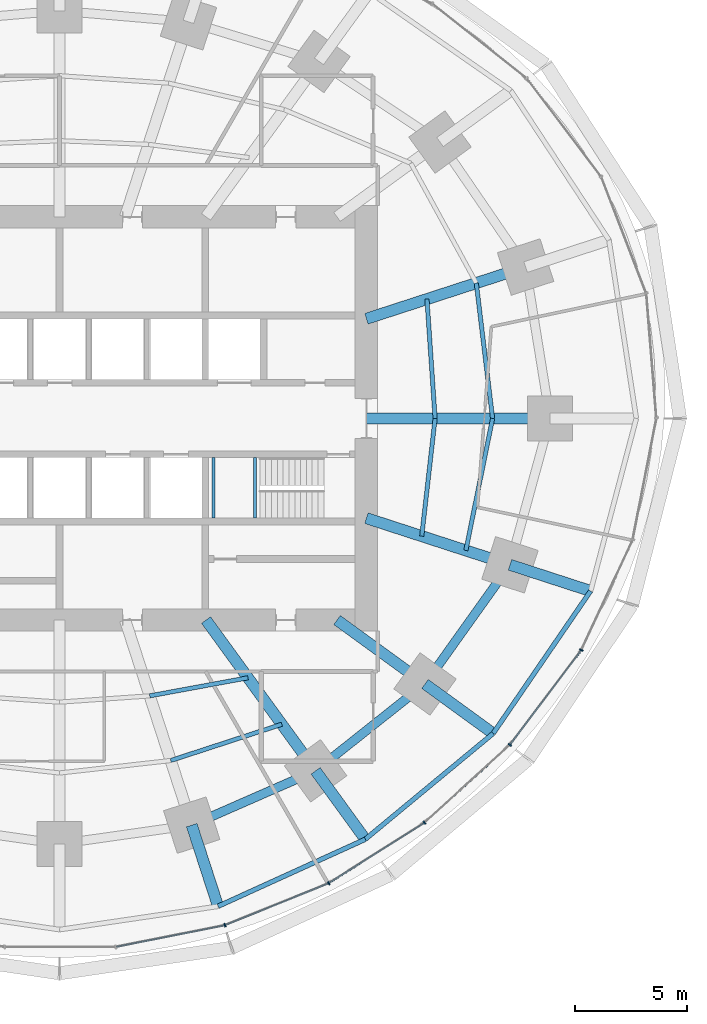
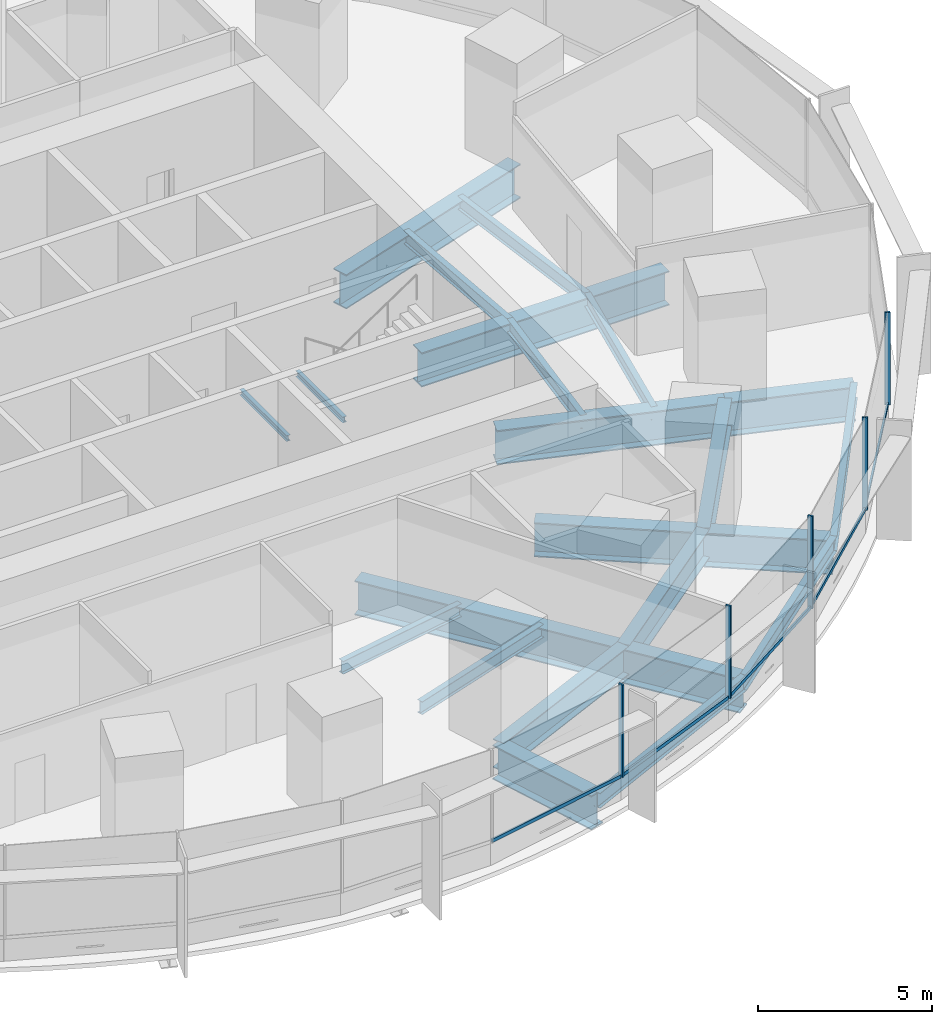
# One storey, part 5 of 15: 23 beams, 10 members, 2 elements without a shape of their own.
"""IFC4 building model written with IfcOpenShell, lengths in metres."""

from ifc_helpers import new_model, si_unit, direction, frame, origin, origin_2d, place, context, subcontext, project, spatial, rectangle, i_section, extrude, material, material_profile, profile_set, type_object, element, aggregate, save


model = new_model("IFC4")

# Units and contexts
model_context = context("Model", 3, precision=1e-05, world=origin(), true_north=direction((0.0, 1.0)))
body_context = subcontext(model_context, "Body", "Model", "MODEL_VIEW")
ifc_project = project(units=[si_unit("LENGTHUNIT", "METRE"), si_unit("AREAUNIT", "SQUARE_METRE"), si_unit("VOLUMEUNIT", "CUBIC_METRE"), si_unit("PLANEANGLEUNIT", "RADIAN"), si_unit("MASSUNIT", "GRAM", prefix="KILO")], contexts=[model_context])

# Site, building, storey
site_placement = place(None, origin())
site = spatial("IfcSite", under=ifc_project, at=site_placement, CompositionType="ELEMENT")
building_placement = place(site_placement, origin())
building = spatial("IfcBuilding", under=site, at=building_placement, Name="Marramba Exchange Tower", CompositionType="ELEMENT")
storey_placement = place(building_placement, frame((0.0, 0.0, 78.39990234375)))
storey = spatial("IfcBuildingStorey", under=building, at=storey_placement, Name="L18", CompositionType="ELEMENT", Elevation=78.39990234375)

# Beams
ifc_material_1 = material(Name="Steel AS/NZS 3679.2 grade 300", Category="steel")
ifc_material_profile_1 = material_profile(ifc_material_1, i_section(OverallWidth=0.5, OverallDepth=1.199951171875, WebThickness=0.01611328125, FlangeThickness=0.0400390625, at=origin_2d()), Name="1200WB455")
ifc_profile_set_1 = profile_set([ifc_material_profile_1], Name="Steel AS/NZS 3679.2 grade 300")
beam_type_1 = type_object("IfcBeamType", Name="Cantilever girder 1200WB455", PredefinedType="BEAM", material=ifc_profile_set_1)
beam_1_placement = place(storey_placement, frame((5.899658203125, -18.156982421875, -0.760009765625), z_axis=(0.309009272901, -0.951059025119, 0.0), x_axis=(0.951059025119, 0.309009272901, 0.0)))
element("IfcBeam", 1, at=beam_1_placement, inside=storey, type_object=beam_type_1, Name="Cantilever girder L18 TC17", PredefinedType="BEAM", context=body_context, shape_type="SweptSolid", body=[
    extrude(i_section(OverallWidth=0.5, OverallDepth=1.199951171875, WebThickness=0.01611328125, FlangeThickness=0.0400390625, at=origin_2d()), origin(), (0.0, 0.0, 1.0), 3.809814453125),
])
beam_2_placement = place(storey_placement, frame((11.430419921875, -15.732666015625, -0.760009765625), z_axis=(0.587787232741, -0.809015555491, 0.0), x_axis=(0.809015555491, 0.587787232741, 0.0)))
element("IfcBeam", 2, at=beam_2_placement, inside=storey, type_object=beam_type_1, Name="Cantilever girder L18 TC18", PredefinedType="BEAM", context=body_context, shape_type="SweptSolid", body=[
    extrude(i_section(OverallWidth=0.5, OverallDepth=1.199951171875, WebThickness=0.01611328125, FlangeThickness=0.0400390625, at=origin_2d()), origin(), (0.0, 0.0, 1.0), 3.7763671875),
])
beam_3_placement = place(storey_placement, frame((16.3154296875, -11.853759765625, -0.760009765625), z_axis=(0.809008346081, -0.587797155463, 0.0), x_axis=(0.587797155463, 0.809008346081, 0.0)))
element("IfcBeam", 3, at=beam_3_placement, inside=storey, type_object=beam_type_1, Name="Cantilever girder L18 TC19", PredefinedType="BEAM", context=body_context, shape_type="SweptSolid", body=[
    extrude(i_section(OverallWidth=0.5, OverallDepth=1.199951171875, WebThickness=0.01611328125, FlangeThickness=0.0400390625, at=origin_2d()), origin(), (0.0, 0.0, 1.0), 3.76025390625),
])
beam_4_placement = place(storey_placement, frame((20.109375, -6.533935546875, -0.760009765625), z_axis=(0.951048759501, -0.309040866314, 0.0), x_axis=(0.309040866314, 0.951048759501, 0.0)))
element("IfcBeam", 4, at=beam_4_placement, inside=storey, type_object=beam_type_1, Name="Cantilever girder L18 TC20", PredefinedType="BEAM", context=body_context, shape_type="SweptSolid", body=[
    extrude(i_section(OverallWidth=0.5, OverallDepth=1.199951171875, WebThickness=0.01611328125, FlangeThickness=0.0400390625, at=origin_2d()), origin(), (0.0, 0.0, 1.0), 3.78564453125),
])
ifc_material_2 = material(Name="Steel AS/NZS 3679.1 grade 300", Category="steel")
ifc_material_profile_2 = material_profile(ifc_material_2, i_section(OverallWidth=0.18994140625, OverallDepth=0.4541015625, WebThickness=0.008544921875, FlangeThickness=0.0126953125, FilletRadius=0.011474609375, at=origin_2d()), Name="460UB67.1")
ifc_profile_set_2 = profile_set([ifc_material_profile_2], Name="Steel AS/NZS 3679.1 grade 300")
beam_type_2 = type_object("IfcBeamType", Name="Floor joist 460UB67.1", PredefinedType="JOIST", material=ifc_profile_set_2)
beam_5_placement = place(storey_placement, frame((16.7666015625, 0.0, -0.386962890625), z_axis=(-0.068096259546, 0.99767875563, 0.0), x_axis=(-0.99767875563, -0.068096259546, 0.0)))
element("IfcBeam", 5, at=beam_5_placement, inside=storey, type_object=beam_type_2, Name="Joist L18 bay 01 row 1", PredefinedType="JOIST", context=body_context, shape_type="SweptSolid", body=[
    extrude(i_section(OverallWidth=0.18994140625, OverallDepth=0.4541015625, WebThickness=0.008544921875, FlangeThickness=0.0126953125, FilletRadius=0.011474609375, at=origin_2d()), origin(), (0.0, 0.0, 1.0), 5.342041015625),
])
beam_6_placement = place(storey_placement, frame((19.333251953125, 0.0, -0.386962890625), z_axis=(-0.119523078538, 0.992831422597, 0.0), x_axis=(-0.992831422597, -0.119523078538, 0.0)))
element("IfcBeam", 6, at=beam_6_placement, inside=storey, type_object=beam_type_2, Name="Joist L18 bay 01 row 2", PredefinedType="JOIST", context=body_context, shape_type="SweptSolid", body=[
    extrude(i_section(OverallWidth=0.18994140625, OverallDepth=0.4541015625, WebThickness=0.008544921875, FlangeThickness=0.0126953125, FilletRadius=0.011474609375, at=origin_2d()), origin(), (0.0, 0.0, 1.0), 6.089111328125),
])
beam_7_placement = place(storey_placement, frame((4.0244140625, -12.3857421875, -0.386962890625), z_axis=(0.983455754421, 0.181148500119, 0.0), x_axis=(-0.181148500119, 0.983455754421, 0.0)))
element("IfcBeam", 7, at=beam_7_placement, inside=storey, type_object=beam_type_2, Name="Joist L18 bay 17 row 1", PredefinedType="JOIST", context=body_context, shape_type="SweptSolid", body=[
    extrude(i_section(OverallWidth=0.18994140625, OverallDepth=0.4541015625, WebThickness=0.008544921875, FlangeThickness=0.0126953125, FilletRadius=0.011474609375, at=origin_2d()), origin(), (0.0, 0.0, 1.0), 4.4609375),
])
beam_8_placement = place(storey_placement, frame((4.9619140625, -15.271484375, -0.386962890625), z_axis=(0.950764024931, 0.309915744834, 0.0), x_axis=(-0.309915744834, 0.950764024931, 0.0)))
element("IfcBeam", 8, at=beam_8_placement, inside=storey, type_object=beam_type_2, Name="Joist L18 bay 17 row 2", PredefinedType="JOIST", context=body_context, shape_type="SweptSolid", body=[
    extrude(i_section(OverallWidth=0.18994140625, OverallDepth=0.4541015625, WebThickness=0.008544921875, FlangeThickness=0.0126953125, FilletRadius=0.011474609375, at=origin_2d()), origin(), (0.0, 0.0, 1.0), 5.2158203125),
])
beam_9_placement = place(storey_placement, frame((16.169677734375, -5.25390625, -0.386962890625), z_axis=(0.112888968594, 0.993607609054, 0.0), x_axis=(-0.993607609054, 0.112888968594, 0.0)))
element("IfcBeam", 9, at=beam_9_placement, inside=storey, type_object=beam_type_2, Name="Joist L18 bay 20 row 1", PredefinedType="JOIST", context=body_context, shape_type="SweptSolid", body=[
    extrude(i_section(OverallWidth=0.18994140625, OverallDepth=0.4541015625, WebThickness=0.008544921875, FlangeThickness=0.0126953125, FilletRadius=0.011474609375, at=origin_2d()), origin(), (0.0, 0.0, 1.0), 5.28759765625),
])
beam_10_placement = place(storey_placement, frame((18.1396484375, -5.893798828125, -0.386962890625), z_axis=(0.198489047047, 0.980103105904, 0.0), x_axis=(-0.980103105904, 0.198489047047, 0.0)))
element("IfcBeam", 10, at=beam_10_placement, inside=storey, type_object=beam_type_2, Name="Joist L18 bay 20 row 2", PredefinedType="JOIST", context=body_context, shape_type="SweptSolid", body=[
    extrude(i_section(OverallWidth=0.18994140625, OverallDepth=0.4541015625, WebThickness=0.008544921875, FlangeThickness=0.0126953125, FilletRadius=0.011474609375, at=origin_2d()), origin(), (0.0, 0.0, 1.0), 6.013427734375),
])
ifc_material_profile_3 = material_profile(ifc_material_1, i_section(OverallWidth=0.5, OverallDepth=1.199951171875, WebThickness=0.01611328125, FlangeThickness=0.0400390625, at=origin_2d()), Name="1200WB455")
ifc_profile_set_3 = profile_set([ifc_material_profile_3], Name="Steel AS/NZS 3679.2 grade 300")
beam_type_3 = type_object("IfcBeamType", Name="Radial girder 1200WB455", PredefinedType="BEAM", material=ifc_profile_set_3)
beam_11_placement = place(storey_placement, frame((13.699951171875, 0.0, -0.760009765625), z_axis=(1.0, 0.0, 0.0), x_axis=(0.0, 1.0, 0.0)))
element("IfcBeam", 11, at=beam_11_placement, inside=storey, type_object=beam_type_3, Name="Radial girder L18 TC01", PredefinedType="BEAM", context=body_context, shape_type="SweptSolid", body=[
    extrude(i_section(OverallWidth=0.5, OverallDepth=1.199951171875, WebThickness=0.01611328125, FlangeThickness=0.0400390625, at=origin_2d()), origin(), (0.0, 0.0, 1.0), 8.199951171875),
])
beam_12_placement = place(storey_placement, frame((13.699951171875, 4.451416015625, -0.760009765625), z_axis=(0.951059990189, 0.309006302624, 0.0), x_axis=(-0.309006302624, 0.951059990189, 0.0)))
element("IfcBeam", 12, at=beam_12_placement, inside=storey, type_object=beam_type_3, Name="Radial girder L18 TC02", PredefinedType="BEAM", context=body_context, shape_type="SweptSolid", body=[
    extrude(i_section(OverallWidth=0.5, OverallDepth=1.199951171875, WebThickness=0.01611328125, FlangeThickness=0.0400390625, at=origin_2d()), origin(), (0.0, 0.0, 1.0), 7.47412109375),
])
beam_13_placement = place(storey_placement, frame((6.538818359375, -9.0, -0.760009765625), z_axis=(0.587787877172, -0.809015087282, 0.0), x_axis=(0.809015087282, 0.587787877172, 0.0)))
element("IfcBeam", 13, at=beam_13_placement, inside=storey, type_object=beam_type_3, Name="Radial girder L18 TC18", PredefinedType="BEAM", context=body_context, shape_type="SweptSolid", body=[
    extrude(i_section(OverallWidth=0.5, OverallDepth=1.199951171875, WebThickness=0.01611328125, FlangeThickness=0.0400390625, at=origin_2d()), origin(), (0.0, 0.0, 1.0), 8.322021484375),
])
beam_14_placement = place(storey_placement, frame((12.387451171875, -9.0, -0.760009765625), z_axis=(0.809025189606, -0.58777397236, 0.0), x_axis=(0.58777397236, 0.809025189606, 0.0)))
element("IfcBeam", 14, at=beam_14_placement, inside=storey, type_object=beam_type_3, Name="Radial girder L18 TC19", PredefinedType="BEAM", context=body_context, shape_type="SweptSolid", body=[
    extrude(i_section(OverallWidth=0.5, OverallDepth=1.199951171875, WebThickness=0.01611328125, FlangeThickness=0.0400390625, at=origin_2d()), origin(), (0.0, 0.0, 1.0), 4.855224609375),
])
beam_15_placement = place(storey_placement, frame((13.699951171875, -4.451416015625, -0.760009765625), z_axis=(0.951057759669, -0.309013167637, 0.0), x_axis=(0.309013167637, 0.951057759669, 0.0)))
element("IfcBeam", 15, at=beam_15_placement, inside=storey, type_object=beam_type_3, Name="Radial girder L18 TC20", PredefinedType="BEAM", context=body_context, shape_type="SweptSolid", body=[
    extrude(i_section(OverallWidth=0.5, OverallDepth=1.199951171875, WebThickness=0.01611328125, FlangeThickness=0.0400390625, at=origin_2d()), origin(), (0.0, 0.0, 1.0), 6.7392578125),
])
ifc_material_profile_4 = material_profile(ifc_material_1, i_section(OverallWidth=0.39990234375, OverallDepth=1.0, WebThickness=0.01611328125, FlangeThickness=0.031982421875, at=origin_2d()), Name="1000WB322")
ifc_profile_set_4 = profile_set([ifc_material_profile_4], Name="Steel AS/NZS 3679.2 grade 300")
beam_type_4 = type_object("IfcBeamType", Name="Ring beam 1000WB322", PredefinedType="SPANDREL", material=ifc_profile_set_4)
beam_16_placement = place(storey_placement, frame((5.899658203125, -18.156982421875, -0.659912109375), z_axis=(0.915876892158, 0.4014592363, 0.0), x_axis=(-0.4014592363, 0.915876892158, 0.0)))
element("IfcBeam", 16, at=beam_16_placement, inside=storey, type_object=beam_type_4, Name="Ring beam L18 TC17-TC18", PredefinedType="SPANDREL", context=body_context, shape_type="SweptSolid", body=[
    extrude(i_section(OverallWidth=0.39990234375, OverallDepth=1.0, WebThickness=0.01611328125, FlangeThickness=0.031982421875, at=origin_2d()), origin(), (0.0, 0.0, 1.0), 6.038818359375),
])
beam_17_placement = place(storey_placement, frame((11.430419921875, -15.732666015625, -0.659912109375), z_axis=(0.783139438128, 0.621846138887, 0.0), x_axis=(-0.621846138887, 0.783139438128, 0.0)))
element("IfcBeam", 17, at=beam_17_placement, inside=storey, type_object=beam_type_4, Name="Ring beam L18 TC18-TC19", PredefinedType="SPANDREL", context=body_context, shape_type="SweptSolid", body=[
    extrude(i_section(OverallWidth=0.39990234375, OverallDepth=1.0, WebThickness=0.01611328125, FlangeThickness=0.031982421875, at=origin_2d()), origin(), (0.0, 0.0, 1.0), 6.23779296875),
])
beam_18_placement = place(storey_placement, frame((16.3154296875, -11.853759765625, -0.659912109375), z_axis=(0.580637181111, 0.814162430914, 0.0), x_axis=(-0.814162430914, 0.580637181111, 0.0)))
element("IfcBeam", 18, at=beam_18_placement, inside=storey, type_object=beam_type_4, Name="Ring beam L18 TC19-TC20", PredefinedType="SPANDREL", context=body_context, shape_type="SweptSolid", body=[
    extrude(i_section(OverallWidth=0.39990234375, OverallDepth=1.0, WebThickness=0.01611328125, FlangeThickness=0.031982421875, at=origin_2d()), origin(), (0.0, 0.0, 1.0), 6.5341796875),
])
ifc_material_profile_5 = material_profile(ifc_material_2, i_section(OverallWidth=0.208984375, OverallDepth=0.528076171875, WebThickness=0.009521484375, FlangeThickness=0.01318359375, FilletRadius=0.013916015625, at=origin_2d()), Name="530UB82.0")
ifc_profile_set_5 = profile_set([ifc_material_profile_5], Name="Steel AS/NZS 3679.1 grade 300")
beam_type_5 = type_object("IfcBeamType", Name="Slab edge beam 530UB82.0", PredefinedType="SPANDREL", material=ifc_profile_set_5)
beam_19_placement = place(storey_placement, frame((7.076904296875, -21.7802734375, -0.423828125), z_axis=(0.910126690081, 0.414330071324, 0.0), x_axis=(-0.414330071324, 0.910126690081, 0.0)))
element("IfcBeam", 19, at=beam_19_placement, inside=storey, type_object=beam_type_5, Name="Slab edge beam L18 TC17-TC18", PredefinedType="SPANDREL", context=body_context, shape_type="SweptSolid", body=[
    extrude(i_section(OverallWidth=0.208984375, OverallDepth=0.528076171875, WebThickness=0.009521484375, FlangeThickness=0.01318359375, FilletRadius=0.013916015625, at=origin_2d()), origin(), (0.0, 0.0, 1.0), 7.222412109375),
])
beam_20_placement = place(storey_placement, frame((13.650146484375, -18.787841796875, -0.423828125), z_axis=(0.770353575372, 0.637616945283, 0.0), x_axis=(-0.637616945283, 0.770353575372, 0.0)))
element("IfcBeam", 20, at=beam_20_placement, inside=storey, type_object=beam_type_5, Name="Slab edge beam L18 TC18-TC19", PredefinedType="SPANDREL", context=body_context, shape_type="SweptSolid", body=[
    extrude(i_section(OverallWidth=0.208984375, OverallDepth=0.528076171875, WebThickness=0.009521484375, FlangeThickness=0.01318359375, FilletRadius=0.013916015625, at=origin_2d()), origin(), (0.0, 0.0, 1.0), 7.40869140625),
])
beam_21_placement = place(storey_placement, frame((19.357421875, -14.06396484375, -0.423828125), z_axis=(0.564740697285, 0.82526840775, 0.0), x_axis=(-0.82526840775, 0.564740697285, 0.0)))
element("IfcBeam", 21, at=beam_21_placement, inside=storey, type_object=beam_type_5, Name="Slab edge beam L18 TC19-TC20", PredefinedType="SPANDREL", context=body_context, shape_type="SweptSolid", body=[
    extrude(i_section(OverallWidth=0.208984375, OverallDepth=0.528076171875, WebThickness=0.009521484375, FlangeThickness=0.01318359375, FilletRadius=0.013916015625, at=origin_2d()), origin(), (0.0, 0.0, 1.0), 7.706787109375),
])
ifc_material_profile_6 = material_profile(ifc_material_2, i_section(OverallWidth=0.133056640625, OverallDepth=0.202880859375, WebThickness=0.005859375, FlangeThickness=0.0078125, FilletRadius=0.0087890625, at=origin_2d()), Name="200UB25.4")
ifc_profile_set_6 = profile_set([ifc_material_profile_6], Name="Steel AS/NZS 3679.1 grade 300")
beam_type_6 = type_object("IfcBeamType", Name="Stair landing beam 200UB25.4", PredefinedType="BEAM", material=ifc_profile_set_6)
for number, where, z_axis, x_axis, name in (
    (22, (6.866455078125, -4.449951171875, 1.798583984375), (0.0, 1.0, 0.0), (-1.0, 0.0, 0.0), "Stair landing beam SLB1 ST2 L18 1"),
    (23, (8.723388671875, -4.449951171875, 1.798583984375), (0.0, 1.0, 0.0), (-1.0, 0.0, 0.0), "Stair landing beam SLB1 ST2 L18 2"),
):
    element("IfcBeam", number, at=place(storey_placement, frame(where, z_axis=z_axis, x_axis=x_axis)), inside=storey, type_object=beam_type_6, Name=name, PredefinedType="BEAM", context=body_context, shape_type="SweptSolid", body=[
        extrude(i_section(OverallWidth=0.133056640625, OverallDepth=0.202880859375, WebThickness=0.005859375, FlangeThickness=0.0078125, FilletRadius=0.0087890625, at=origin_2d()), origin(), (0.0, 0.0, 1.0), 2.699951171875),
    ])

# Curtain wall, member
ifc_material_3 = material(Name="Aluminium framing, bronze anodised", Category="aluminium")
curtain_wall_type = type_object("IfcCurtainWallType", Name="Trading floor ribbon curtain wall", PredefinedType="USERDEFINED", material=ifc_material_3)
curtain_wall_1_placement = place(storey_placement, origin())
curtain_wall_1 = element("IfcCurtainWall", 24, at=curtain_wall_1_placement, inside=storey, type_object=curtain_wall_type, Name="Curtain wall CW3 L18 F21-F25", ObjectType="RIBBON CURTAIN WALL", PredefinedType="USERDEFINED")
ifc_material_4 = material(Name="Aluminium mullion, bronze anodised", Category="aluminium")
ifc_material_profile_7 = material_profile(ifc_material_4, rectangle(XDim=0.159912109375, YDim=0.06005859375, at=origin_2d()), Name="CW3 mullion 60x160")
ifc_profile_set_7 = profile_set([ifc_material_profile_7], Name="Aluminium mullion, bronze anodised")
member_type_1 = type_object("IfcMemberType", Name="Trading floor ribbon curtain wall mullion", PredefinedType="MULLION", material=ifc_profile_set_7)
member_1_placement = place(storey_placement, frame((7.3828125, -22.625, 0.800048828125), z_axis=(0.0, 0.0, 1.0), x_axis=(-0.374218219325, 0.927340673283, 0.0)))
member_1 = element("IfcMember", 25, at=member_1_placement, type_object=member_type_1, Name="CW3 mullion 1", PredefinedType="MULLION", context=body_context, shape_type="SweptSolid", body=[
    extrude(rectangle(XDim=0.159912109375, YDim=0.06005859375, at=origin_2d()), origin(), (0.0, 0.0, 1.0), 3.239990234375),
])

# Curtain wall, members
curtain_wall_2_placement = place(storey_placement, origin())
curtain_wall_2 = element("IfcCurtainWall", 26, at=curtain_wall_2_placement, inside=storey, type_object=curtain_wall_type, Name="Curtain wall CW3 L18 F26-F30", ObjectType="RIBBON CURTAIN WALL", PredefinedType="USERDEFINED")
member_2_placement = place(storey_placement, frame((12.0146484375, -20.75, 0.800048828125), z_axis=(0.0, 0.0, 1.0), x_axis=(-0.533514646612, 0.845790826298, 0.0)))
member_2 = element("IfcMember", 27, at=member_2_placement, type_object=member_type_1, Name="CW3 mullion 1", PredefinedType="MULLION", context=body_context, shape_type="SweptSolid", body=[
    extrude(rectangle(XDim=0.159912109375, YDim=0.06005859375, at=origin_2d()), origin(), (0.0, 0.0, 1.0), 3.239990234375),
])
member_3_placement = place(storey_placement, frame((16.2900390625, -18.047119140625, 0.800048828125), z_axis=(0.0, 0.0, 1.0), x_axis=(-0.673058133441, 0.739589581463, 0.0)))
member_3 = element("IfcMember", 28, at=member_3_placement, type_object=member_type_1, Name="CW3 mullion 1", PredefinedType="MULLION", context=body_context, shape_type="SweptSolid", body=[
    extrude(rectangle(XDim=0.159912109375, YDim=0.06005859375, at=origin_2d()), origin(), (0.0, 0.0, 1.0), 3.239990234375),
])
member_4_placement = place(storey_placement, frame((20.103515625, -14.569091796875, 0.800048828125), z_axis=(0.0, 0.0, 1.0), x_axis=(-0.797710591138, 0.603040473588, 0.0)))
member_4 = element("IfcMember", 29, at=member_4_placement, type_object=member_type_1, Name="CW3 mullion 1", PredefinedType="MULLION", context=body_context, shape_type="SweptSolid", body=[
    extrude(rectangle(XDim=0.159912109375, YDim=0.06005859375, at=origin_2d()), origin(), (0.0, 0.0, 1.0), 3.239990234375),
])
member_5_placement = place(storey_placement, frame((23.2939453125, -10.33837890625, 0.800048828125), z_axis=(0.0, 0.0, 1.0), x_axis=(-0.905906758768, 0.423477206492, 0.0)))
member_5 = element("IfcMember", 30, at=member_5_placement, type_object=member_type_1, Name="CW3 mullion 1", PredefinedType="MULLION", context=body_context, shape_type="SweptSolid", body=[
    extrude(rectangle(XDim=0.159912109375, YDim=0.06005859375, at=origin_2d()), origin(), (0.0, 0.0, 1.0), 3.239990234375),
])

# Member
ifc_material_5 = material(Name="Aluminium transom, bronze anodised", Category="aluminium")
ifc_material_profile_8 = material_profile(ifc_material_5, rectangle(XDim=0.06005859375, YDim=0.1201171875, at=origin_2d()), Name="CW3 transom 60x120")
ifc_profile_set_8 = profile_set([ifc_material_profile_8], Name="Aluminium transom, bronze anodised")
member_type_2 = type_object("IfcMemberType", Name="Trading floor ribbon curtain wall transom", PredefinedType="USERDEFINED", material=ifc_profile_set_8)
member_6_placement = place(storey_placement, frame((2.539306640625, -23.58837890625, 0.830078125), z_axis=(0.981008707181, 0.193963698758, 0.0), x_axis=(-0.193963698758, 0.981008707181, 0.0)))
member_6 = element("IfcMember", 31, at=member_6_placement, type_object=member_type_2, Name="CW3 sill transom", ObjectType="TRANSOM", PredefinedType="USERDEFINED", context=body_context, shape_type="SweptSolid", body=[
    extrude(rectangle(XDim=0.06005859375, YDim=0.1201171875, at=origin_2d()), origin(), (0.0, 0.0, 1.0), 4.908935546875),
])

member_7_placement = place(storey_placement, frame((7.41064453125, -22.61376953125, 0.830078125), z_axis=(0.927340197166, 0.374219399176, 0.0), x_axis=(-0.374219399176, 0.927340197166, 0.0)))
member_7 = element("IfcMember", 32, at=member_7_placement, type_object=member_type_2, Name="CW3 sill transom", ObjectType="TRANSOM", PredefinedType="USERDEFINED", context=body_context, shape_type="SweptSolid", body=[
    extrude(rectangle(XDim=0.06005859375, YDim=0.1201171875, at=origin_2d()), origin(), (0.0, 0.0, 1.0), 4.937255859375),
])

aggregate(curtain_wall_1, [member_6, member_1, member_7])

member_8_placement = place(storey_placement, frame((12.0400390625, -20.734130859375, 0.830078125), z_axis=(0.845776602594, 0.533537195053, 0.0), x_axis=(-0.533537195053, 0.845776602594, 0.0)))
member_8 = element("IfcMember", 33, at=member_8_placement, type_object=member_type_2, Name="CW3 sill transom", ObjectType="TRANSOM", PredefinedType="USERDEFINED", context=body_context, shape_type="SweptSolid", body=[
    extrude(rectangle(XDim=0.06005859375, YDim=0.1201171875, at=origin_2d()), origin(), (0.0, 0.0, 1.0), 4.998779296875),
])

member_9_placement = place(storey_placement, frame((16.312255859375, -18.02685546875, 0.830078125), z_axis=(0.739582688456, 0.673065707741, 0.0), x_axis=(-0.673065707741, 0.739582688456, 0.0)))
member_9 = element("IfcMember", 34, at=member_9_placement, type_object=member_type_2, Name="CW3 sill transom", ObjectType="TRANSOM", PredefinedType="USERDEFINED", context=body_context, shape_type="SweptSolid", body=[
    extrude(rectangle(XDim=0.06005859375, YDim=0.1201171875, at=origin_2d()), origin(), (0.0, 0.0, 1.0), 5.101806640625),
])

member_10_placement = place(storey_placement, frame((20.12158203125, -14.545166015625, 0.830078125), z_axis=(0.603037409419, 0.797712907531, 0.0), x_axis=(-0.797712907531, 0.603037409419, 0.0)))
member_10 = element("IfcMember", 35, at=member_10_placement, type_object=member_type_2, Name="CW3 sill transom", ObjectType="TRANSOM", PredefinedType="USERDEFINED", context=body_context, shape_type="SweptSolid", body=[
    extrude(rectangle(XDim=0.06005859375, YDim=0.1201171875, at=origin_2d()), origin(), (0.0, 0.0, 1.0), 5.239501953125),
])

aggregate(curtain_wall_2, [member_2, member_8, member_3, member_9, member_4, member_10, member_5])

save(model, "model.ifc")
